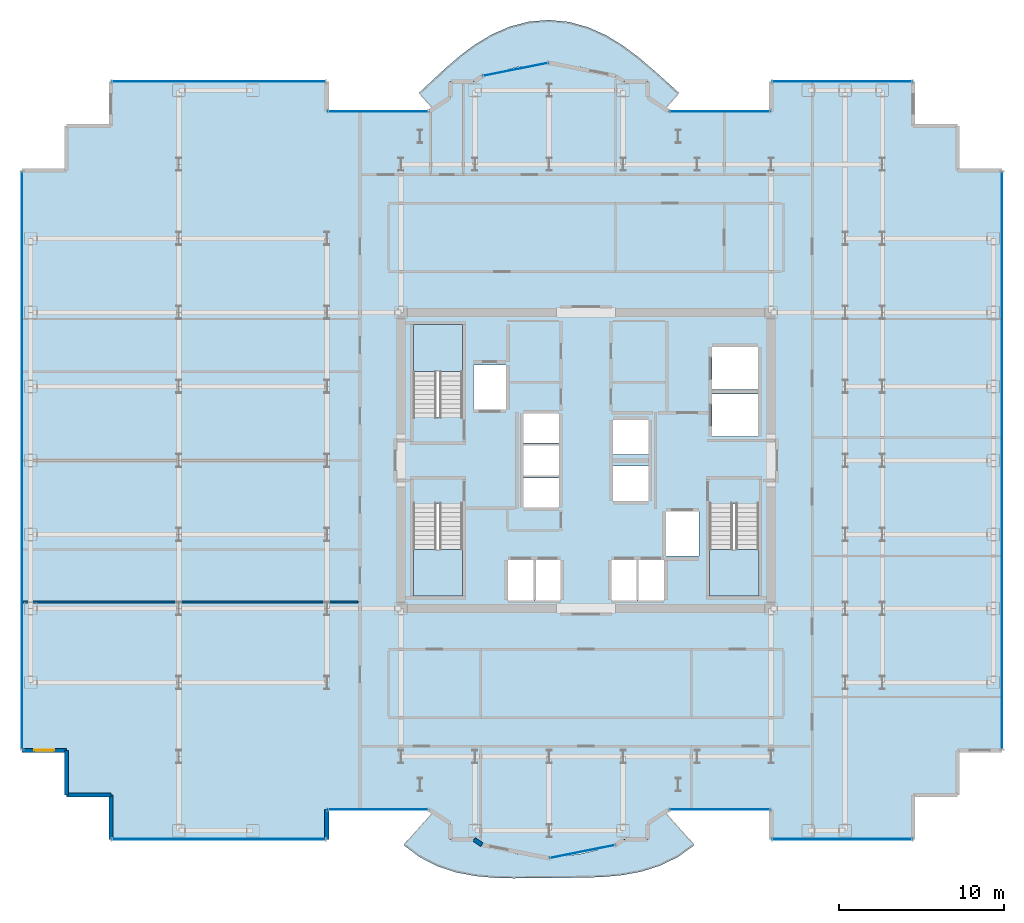
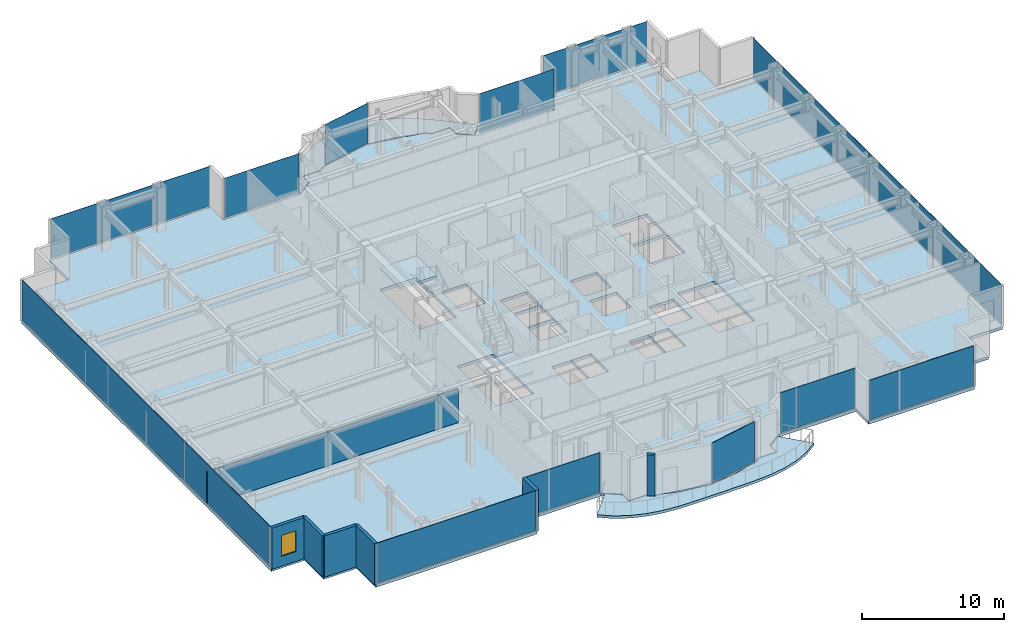
# One storey, part 14 of 22: 12 plates, 7 walls, 6 slabs, 1 window, 1 opening, 15 elements without a shape of their own.
"""IFC4 building model written with IfcOpenShell, lengths in metres."""

import ifcopenshell
import ifcopenshell.guid

model = None  # the IFC model being written
_history = None  # IfcOwnerHistory: only IFC2X3 demands one
_inside = {}  # id of a spatial element -> (the spatial element, [elements in it])
_under = {}  # id of a project, library or spatial element -> (it, [spatial elements below it])
_declared = {}  # id of a project -> (the project, [libraries it declares])
_typed = {}  # id of a type object -> (the type object, [elements of that type])
_made_of = {}  # id of a material, layer set ... -> (it, [elements and type objects made of it])


def new_model(schema):
    """Start an empty IFC model of exactly this schema.

    Asked for "IFC4X3", IfcOpenShell would pick the latest addendum, in which some entities
    have other attributes; the version numbers below select the first issue.
    IFC2X3 requires an IfcOwnerHistory on every rooted entity: one is made here for all.
    """
    global model, _history
    if schema == "IFC4X3":
        model = ifcopenshell.file(schema_version=(4, 3, 0, 0))
    else:
        model = ifcopenshell.file(schema=schema)
    _inside.clear()
    _under.clear()
    _declared.clear()
    _typed.clear()
    _made_of.clear()
    _history = None
    if model.schema == "IFC2X3":
        org = make("IfcOrganization", Name="unknown")
        user = make(
            "IfcPersonAndOrganization",
            ThePerson=make("IfcPerson", FamilyName="unknown"),
            TheOrganization=org,
        )
        app = make(
            "IfcApplication",
            ApplicationDeveloper=org,
            Version="unknown",
            ApplicationFullName="unknown",
            ApplicationIdentifier="unknown",
        )
        _history = make(
            "IfcOwnerHistory",
            OwningUser=user,
            OwningApplication=app,
            ChangeAction="ADDED",
            CreationDate=0,
        )
    return model


def make(cls, **values):
    """One entity of the class cls with the attributes given. An attribute that is None is left unset."""
    return model.create_entity(
        cls, **{name: value for name, value in values.items() if value is not None}
    )


def rooted(cls, **values):
    """An entity with a GlobalId (a new one), such as an element, a storey or a relation."""
    return make(cls, GlobalId=ifcopenshell.guid.new(), OwnerHistory=_history, **values)


def si_unit(unit_type, name, prefix=None):
    """IfcSIUnit, for example si_unit("LENGTHUNIT", "METRE", prefix="MILLI")."""
    return make("IfcSIUnit", UnitType=unit_type, Prefix=prefix, Name=name)


def assignment(units):
    """IfcUnitAssignment: the units of a project."""
    return None if units is None else make("IfcUnitAssignment", Units=units)


def point(xyz):
    """IfcCartesianPoint."""
    return None if xyz is None else make("IfcCartesianPoint", Coordinates=xyz)


def direction(xyz):
    """IfcDirection."""
    return None if xyz is None else make("IfcDirection", DirectionRatios=xyz)


def frame(location, z_axis=None, x_axis=None):
    """IfcAxis2Placement3D, a coordinate frame: its origin and axes. An axis left out is left unset."""
    return make(
        "IfcAxis2Placement3D",
        Location=point(location),
        Axis=direction(z_axis),
        RefDirection=direction(x_axis),
    )


def frame_2d(location, x_axis=None):
    """IfcAxis2Placement2D, a coordinate frame in the plane: its origin and x axis."""
    return make(
        "IfcAxis2Placement2D", Location=point(location), RefDirection=direction(x_axis)
    )


def origin():
    """The frame at (0, 0, 0) with its axes left unset."""
    return frame((0.0, 0.0, 0.0))


def origin_2d():
    """The frame at (0, 0) in the plane with its x axis left unset."""
    return frame_2d((0.0, 0.0))


def place(relative_to, where):
    """IfcLocalPlacement: puts the frame where relative to a parent placement (None: the world)."""
    return make(
        "IfcLocalPlacement", PlacementRelTo=relative_to, RelativePlacement=where
    )


def context(
    kind, dimensions, precision=None, world=None, true_north=None, identifier=None
):
    """IfcGeometricRepresentationContext, for example the 3D "Model" context."""
    return make(
        "IfcGeometricRepresentationContext",
        ContextIdentifier=identifier,
        ContextType=kind,
        CoordinateSpaceDimension=dimensions,
        Precision=precision,
        WorldCoordinateSystem=world,
        TrueNorth=true_north,
    )


def subcontext(parent, identifier, kind, view, scale=None):
    """IfcGeometricRepresentationSubContext, for example "Body" below "Model"."""
    return make(
        "IfcGeometricRepresentationSubContext",
        ContextIdentifier=identifier,
        ContextType=kind,
        ParentContext=parent,
        TargetScale=scale,
        TargetView=view,
    )


def project(units=None, contexts=None):
    """IfcProject with its units and contexts."""
    return rooted(
        "IfcProject",
        Name="project",
        RepresentationContexts=contexts,
        UnitsInContext=assignment(units),
    )


def spatial(cls, under=None, at=None, **own):
    """A site, building, storey or space (cls), placed at a placement, below another one or the project."""
    s = rooted(cls, ObjectPlacement=at, **own)
    if under is not None:
        _under.setdefault(under.id(), (under, []))[1].append(s)
    return s


def polyline(points):
    """IfcPolyline through the points."""
    return make("IfcPolyline", Points=[point(p) for p in points])


def profile(cls, at=None, kind="AREA", **sizes):
    """A parametric profile (cls). Its sizes go by their IFC names, for example OverallWidth=200.0."""
    return make(cls, ProfileType=kind, Position=at, **sizes)


def rectangle(**sizes):
    """IfcRectangleProfileDef."""
    return profile("IfcRectangleProfileDef", **sizes)


def outline(outer, holes=None, kind="AREA"):
    """IfcArbitraryClosedProfileDef: a profile drawn as a closed curve; with holes, ...WithVoids."""
    if holes is None:
        return make("IfcArbitraryClosedProfileDef", ProfileType=kind, OuterCurve=outer)
    return make(
        "IfcArbitraryProfileDefWithVoids",
        ProfileType=kind,
        OuterCurve=outer,
        InnerCurves=holes,
    )


def extrude(swept, where, along, depth):
    """IfcExtrudedAreaSolid: the profile swept, set in the frame where, extruded along a direction by depth."""
    return make(
        "IfcExtrudedAreaSolid",
        SweptArea=swept,
        Position=where,
        ExtrudedDirection=direction(along),
        Depth=depth,
    )


def shape(context_of_items, identifier, shape_type, items):
    """IfcShapeRepresentation: the items that make up one representation, for example the "Body"."""
    return make(
        "IfcShapeRepresentation",
        ContextOfItems=context_of_items,
        RepresentationIdentifier=identifier,
        RepresentationType=shape_type,
        Items=items,
    )


def source(mapping_origin, context_of_items, identifier, shape_type, items):
    """IfcRepresentationMap: a shape defined once, which mapped items show again and again."""
    return make(
        "IfcRepresentationMap",
        MappingOrigin=mapping_origin,
        MappedRepresentation=shape(context_of_items, identifier, shape_type, items),
    )


def transform(
    local_origin,
    x_axis=None,
    y_axis=None,
    z_axis=None,
    scale=None,
    scale2=None,
    scale3=None,
    uniform=True,
):
    """IfcCartesianTransformationOperator3D, or its non-uniform kind. x_axis, y_axis, z_axis: its Axis1, 2, 3."""
    if uniform:
        return make(
            "IfcCartesianTransformationOperator3D",
            Axis1=direction(x_axis),
            Axis2=direction(y_axis),
            LocalOrigin=point(local_origin),
            Scale=scale,
            Axis3=direction(z_axis),
        )
    return make(
        "IfcCartesianTransformationOperator3DnonUniform",
        Axis1=direction(x_axis),
        Axis2=direction(y_axis),
        LocalOrigin=point(local_origin),
        Scale=scale,
        Axis3=direction(z_axis),
        Scale2=scale2,
        Scale3=scale3,
    )


def mapped(mapping_source, mapping_target):
    """IfcMappedItem: shows the shape of a source again, moved by a transform."""
    return make(
        "IfcMappedItem", MappingSource=mapping_source, MappingTarget=mapping_target
    )


def material(Name=None, Category=None):
    """IfcMaterial."""
    return make("IfcMaterial", Name=Name, Category=Category)


def layer(
    of_material, thickness, ventilated=None, Name=None, Category=None, Priority=None
):
    """IfcMaterialLayer: one layer of a wall or slab, of a material (None: an air gap)."""
    return make(
        "IfcMaterialLayer",
        Material=of_material,
        LayerThickness=thickness,
        IsVentilated=ventilated,
        Name=Name,
        Category=Category,
        Priority=Priority,
    )


def layer_set(layers, Name=None):
    """IfcMaterialLayerSet."""
    return make("IfcMaterialLayerSet", MaterialLayers=layers, LayerSetName=Name)


def made_of(thing, what):
    """Note that an element or type object is made of a material, layer set ...; save() writes the relation."""
    if what is not None:
        _made_of.setdefault(what.id(), (what, []))[1].append(thing)
    return thing


def type_object(cls, material=None, **own):
    """A type object (cls), such as IfcWallType, which elements share."""
    return made_of(rooted(cls, **own), material)


def element(
    cls,
    number,
    at=None,
    inside=None,
    cuts=None,
    type_object=None,
    material=None,
    context=None,
    identifier="Body",
    shape_type=None,
    held_by="IfcProductDefinitionShape",
    body=None,
    shapes=None,
    **own,
):
    """One element of the class cls, such as IfcWall. Its Tag is "e" and its number.

    at: its placement. inside: the storey or other place that contains it. cuts: it is an
    opening in that element (IfcRelVoidsElement). A single representation is given by context,
    identifier, shape_type and body (its items); several are given by shapes. held_by: the class
    of the entity that holds the representations. save() writes the other relations.
    """
    e = rooted(cls, Tag="e%d" % number, ObjectPlacement=at, **own)
    if body is not None:
        shapes = [shape(context, identifier, shape_type, body)]
    if shapes is not None:
        e.Representation = make(held_by, Representations=shapes)
    if inside is not None:
        _inside.setdefault(inside.id(), (inside, []))[1].append(e)
    if cuts is not None:
        rooted(
            "IfcRelVoidsElement", RelatingBuildingElement=cuts, RelatedOpeningElement=e
        )
    if type_object is not None:
        _typed.setdefault(type_object.id(), (type_object, []))[1].append(e)
    return made_of(e, material)


def fill(opening, filler):
    """IfcRelFillsElement: the door or window that sits in an opening."""
    return rooted(
        "IfcRelFillsElement",
        RelatingOpeningElement=opening,
        RelatedBuildingElement=filler,
    )


def aggregate(whole, parts):
    """IfcRelAggregates: a whole, such as a stair, and the parts it consists of."""
    return rooted("IfcRelAggregates", RelatingObject=whole, RelatedObjects=parts)


def save(model, path):
    """Write the relations noted so far, then the file.

    IfcRelAggregates (storeys below a building ...), IfcRelContainedInSpatialStructure (elements
    in a storey), IfcRelDefinesByType, IfcRelAssociatesMaterial and IfcRelDeclares: one each for
    every whole, place, type object, material and project.
    """
    for whole, parts in _under.values():
        aggregate(whole, parts)
    for where, things in _inside.values():
        rooted(
            "IfcRelContainedInSpatialStructure",
            RelatedElements=things,
            RelatingStructure=where,
        )
    for kind, things in _typed.values():
        rooted("IfcRelDefinesByType", RelatedObjects=things, RelatingType=kind)
    for what, things in _made_of.values():
        rooted("IfcRelAssociatesMaterial", RelatedObjects=things, RelatingMaterial=what)
    for by, libraries in _declared.values():
        rooted("IfcRelDeclares", RelatingContext=by, RelatedDefinitions=libraries)
    model.write(path)


model = new_model("IFC4")

# Units and contexts
model_context = context("Model", 3, precision=1e-05, world=origin(), true_north=direction((0.0, 1.0)))
body_context = subcontext(model_context, "Body", "Model", "MODEL_VIEW")
ifc_project = project(units=[si_unit("LENGTHUNIT", "METRE"), si_unit("AREAUNIT", "SQUARE_METRE"), si_unit("VOLUMEUNIT", "CUBIC_METRE"), si_unit("PLANEANGLEUNIT", "RADIAN"), si_unit("MASSUNIT", "GRAM", prefix="KILO")], contexts=[model_context])

# Site, building, storey
site_placement = place(None, origin())
site = spatial("IfcSite", under=ifc_project, at=site_placement, CompositionType="ELEMENT")
building_placement = place(site_placement, origin())
building = spatial("IfcBuilding", under=site, at=building_placement, Name="Nefas-Gora Pilgrimage Tower", CompositionType="ELEMENT")
storey_placement = place(building_placement, frame((0.0, 0.0, 186.800048828125)))
storey = spatial("IfcBuildingStorey", under=building, at=storey_placement, Name="L46", CompositionType="ELEMENT", Elevation=186.800048828125)

# Slabs
ifc_material_1 = material(Name="Concrete C40/50", Category="concrete")
ifc_layer_1 = layer(ifc_material_1, 0.22998046875)
ifc_layer_set_1 = layer_set([ifc_layer_1], Name="Concrete C40/50")
slab_type_1 = type_object("IfcSlabType", Name="SLB-BAL-P2", PredefinedType="FLOOR", material=ifc_layer_set_1)
slab_1_placement = place(storey_placement, frame((0.0, 0.0, -0.22998046875)))
element("IfcSlab", 1, at=slab_1_placement, inside=storey, type_object=slab_type_1, Name="L46 Sinusoidal Lobe Balcony Slab S (Phase 2)", PredefinedType="FLOOR", context=body_context, shape_type="SweptSolid", body=[
    extrude(outline(polyline([(4.78759765625, -21.385986328125), (4.724609375, -21.427978515625), (4.038330078125, -21.9912109375), (3.760009765625, -22.179931640625), (3.760009765625, -23.02001953125), (3.760009765625, -23.02099609375), (3.759765625, -23.02197265625), (3.759521484375, -23.02294921875), (3.75927734375, -23.023681640625), (3.7587890625, -23.024658203125), (3.75830078125, -23.025634765625), (3.7578125, -23.0263671875), (3.757080078125, -23.027099609375), (3.75634765625, -23.027587890625), (3.755615234375, -23.0283203125), (3.754638671875, -23.02880859375), (3.75390625, -23.029296875), (3.7529296875, -23.029541015625), (3.751953125, -23.02978515625), (3.7509765625, -23.030029296875), (3.75, -23.030029296875), (2.3271484375, -23.030029296875), (1.81298828125, -23.37353515625), (1.81201171875, -23.3740234375), (1.811279296875, -23.37451171875), (1.810302734375, -23.375), (1.809326171875, -23.375), (1.13037109375, -23.51025390625), (0.602783203125, -23.685302734375), (-0.334716796875, -23.904052734375), (-1.288330078125, -24.035888671875), (-1.580078125, -24.04931640625), (-2.248046875, -24.18212890625), (-2.2490234375, -24.182373046875), (-2.25, -24.182373046875), (-2.2509765625, -24.182373046875), (-2.251953125, -24.18212890625), (-2.919921875, -24.04931640625), (-3.211669921875, -24.035888671875), (-4.165283203125, -23.904052734375), (-5.102783203125, -23.685302734375), (-5.63037109375, -23.51025390625), (-6.309326171875, -23.375), (-6.310302734375, -23.375), (-6.311279296875, -23.37451171875), (-6.31201171875, -23.3740234375), (-6.31298828125, -23.37353515625), (-6.8271484375, -23.030029296875), (-8.25, -23.030029296875), (-8.2509765625, -23.030029296875), (-8.251953125, -23.02978515625), (-8.2529296875, -23.029541015625), (-8.25390625, -23.029296875), (-8.254638671875, -23.02880859375), (-8.255615234375, -23.0283203125), (-8.25634765625, -23.027587890625), (-8.257080078125, -23.027099609375), (-8.2578125, -23.0263671875), (-8.25830078125, -23.025634765625), (-8.2587890625, -23.024658203125), (-8.25927734375, -23.023681640625), (-8.259521484375, -23.02294921875), (-8.259765625, -23.02197265625), (-8.260009765625, -23.02099609375), (-8.260009765625, -23.02001953125), (-8.260009765625, -22.179931640625), (-8.538330078125, -21.9912109375), (-9.224609375, -21.427978515625), (-9.28759765625, -21.385986328125), (-11.08251953125, -23.37939453125), (-10.11669921875, -24.10498046875), (-9.04248046875, -24.654296875), (-7.901611328125, -25.0302734375), (-6.73486328125, -25.25341796875), (-5.574951171875, -25.359130859375), (-4.440673828125, -25.389404296875), (-3.33544921875, -25.3837890625), (-2.25, -25.37060546875), (-1.16650390625, -25.36181640625), (-0.06689453125, -25.349365234375), (1.060302734375, -25.307861328125), (2.214111328125, -25.19921875), (3.37744140625, -24.9814453125), (4.5205078125, -24.618408203125), (5.602294921875, -24.085693359375), (6.580810546875, -23.377685546875), (4.78759765625, -21.385986328125)])), origin(), (0.0, 0.0, 1.0), 0.22998046875),
])
ifc_layer_2 = layer(ifc_material_1, 0.219970703125)
ifc_layer_set_2 = layer_set([ifc_layer_2], Name="Concrete C40/50")
slab_type_2 = type_object("IfcSlabType", Name="SLB-BAL-P6", PredefinedType="FLOOR", material=ifc_layer_set_2)
slab_2_placement = place(storey_placement, frame((0.0, 0.0, -0.219970703125)))
element("IfcSlab", 2, at=slab_2_placement, inside=storey, type_object=slab_type_2, Name="L46 Sinusoidal Lobe Balcony Slab N (Phase 6)", PredefinedType="FLOOR", context=body_context, shape_type="SweptSolid", body=[
    extrude(outline(polyline([(-9.28759765625, 21.385986328125), (-9.224609375, 21.427978515625), (-8.538330078125, 21.9912109375), (-8.260009765625, 22.179931640625), (-8.260009765625, 23.02001953125), (-8.260009765625, 23.02099609375), (-8.259765625, 23.02197265625), (-8.259521484375, 23.02294921875), (-8.25927734375, 23.023681640625), (-8.2587890625, 23.024658203125), (-8.25830078125, 23.025634765625), (-8.2578125, 23.0263671875), (-8.257080078125, 23.027099609375), (-8.25634765625, 23.027587890625), (-8.255615234375, 23.0283203125), (-8.254638671875, 23.02880859375), (-8.25390625, 23.029296875), (-8.2529296875, 23.029541015625), (-8.251953125, 23.02978515625), (-8.2509765625, 23.030029296875), (-8.25, 23.030029296875), (-6.8271484375, 23.030029296875), (-6.31298828125, 23.37353515625), (-6.31201171875, 23.3740234375), (-6.311279296875, 23.37451171875), (-6.310302734375, 23.375), (-6.309326171875, 23.375), (-5.63037109375, 23.51025390625), (-5.102783203125, 23.685302734375), (-4.165283203125, 23.904052734375), (-3.211669921875, 24.035888671875), (-2.919921875, 24.04931640625), (-2.251953125, 24.18212890625), (-2.2509765625, 24.182373046875), (-2.25, 24.182373046875), (-2.2490234375, 24.182373046875), (-2.248046875, 24.18212890625), (-1.580078125, 24.04931640625), (-1.288330078125, 24.035888671875), (-0.334716796875, 23.904052734375), (0.602783203125, 23.685302734375), (1.13037109375, 23.51025390625), (1.809326171875, 23.375), (1.810302734375, 23.375), (1.811279296875, 23.37451171875), (1.81201171875, 23.3740234375), (1.81298828125, 23.37353515625), (2.3271484375, 23.030029296875), (3.75, 23.030029296875), (3.7509765625, 23.030029296875), (3.751953125, 23.02978515625), (3.7529296875, 23.029541015625), (3.75390625, 23.029296875), (3.754638671875, 23.02880859375), (3.755615234375, 23.0283203125), (3.75634765625, 23.027587890625), (3.757080078125, 23.027099609375), (3.7578125, 23.0263671875), (3.75830078125, 23.025634765625), (3.7587890625, 23.024658203125), (3.75927734375, 23.023681640625), (3.759521484375, 23.02294921875), (3.759765625, 23.02197265625), (3.760009765625, 23.02099609375), (3.760009765625, 23.02001953125), (3.760009765625, 22.179931640625), (4.038330078125, 21.9912109375), (4.724609375, 21.427978515625), (4.78759765625, 21.385986328125), (5.645751953125, 22.339111328125), (4.84130859375, 23.06640625), (4.02001953125, 23.801513671875), (3.15576171875, 24.53173828125), (2.224365234375, 25.226318359375), (1.211181640625, 25.84228515625), (0.115234375, 26.33203125), (-1.048095703125, 26.6513671875), (-2.25, 26.769287109375), (-3.4541015625, 26.67333984375), (-4.622802734375, 26.3720703125), (-5.7255859375, 25.8935546875), (-6.7451171875, 25.280517578125), (-7.6796875, 24.580322265625), (-8.5419921875, 23.837646484375), (-9.355712890625, 23.085693359375), (-10.1474609375, 22.3408203125), (-9.28759765625, 21.385986328125)])), origin(), (0.0, 0.0, 1.0), 0.219970703125),
])
ifc_layer_3 = layer(ifc_material_1, 0.25)
ifc_layer_set_3 = layer_set([ifc_layer_3], Name="Concrete C40/50")
slab_type_3 = type_object("IfcSlabType", Name="SLB-TWR-250", PredefinedType="FLOOR", material=ifc_layer_set_3)
slab_3_placement = place(storey_placement, frame((0.0, 0.0, -0.25)))
element("IfcSlab", 3, at=slab_3_placement, inside=storey, type_object=slab_type_3, Name="L46 Structural Floor Slab", PredefinedType="FLOOR", context=body_context, shape_type="SweptSolid", body=[
    extrude(outline(polyline([(5.01806640625, -21.219970703125), (11.25, -21.219970703125), (11.25, -23.02001953125), (19.8701171875, -23.02001953125), (19.8701171875, -20.320068359375), (22.570068359375, -20.320068359375), (22.570068359375, -17.6201171875), (25.27001953125, -17.6201171875), (25.27001953125, 17.6201171875), (22.570068359375, 17.6201171875), (22.570068359375, 20.320068359375), (19.8701171875, 20.320068359375), (19.8701171875, 23.02001953125), (11.25, 23.02001953125), (11.25, 21.219970703125), (5.01806640625, 21.219970703125), (3.75, 22.0673828125), (3.75, 23.02001953125), (2.32421875, 23.02001953125), (1.807373046875, 23.365234375), (-2.25, 24.17236328125), (-6.307373046875, 23.365234375), (-6.82421875, 23.02001953125), (-8.25, 23.02001953125), (-8.25, 22.0673828125), (-9.51806640625, 21.219970703125), (-15.75, 21.219970703125), (-15.75, 23.02001953125), (-28.8701171875, 23.02001953125), (-28.8701171875, 20.320068359375), (-31.570068359375, 20.320068359375), (-31.570068359375, 17.6201171875), (-34.27001953125, 17.6201171875), (-34.27001953125, -17.6201171875), (-31.570068359375, -17.6201171875), (-31.570068359375, -20.320068359375), (-28.8701171875, -20.320068359375), (-28.8701171875, -23.02001953125), (-15.75, -23.02001953125), (-15.75, -21.219970703125), (-9.51806640625, -21.219970703125), (-8.25, -22.0673828125), (-8.25, -23.02001953125), (-6.82421875, -23.02001953125), (-6.307373046875, -23.365234375), (-2.25, -24.17236328125), (1.807373046875, -23.365234375), (2.32421875, -23.02001953125), (3.75, -23.02001953125), (3.75, -22.0673828125), (5.01806640625, -21.219970703125)]), holes=[polyline([(-10.5, 2.639892578125), (-10.5, 8.25), (-7.5, 8.25), (-7.5, 2.639892578125), (-10.5, 2.639892578125)]), polyline([(10.5, -2.639892578125), (10.5, -8.25), (7.5, -8.25), (7.5, -2.639892578125), (10.5, -2.639892578125)]), polyline([(-7.5, -2.639892578125), (-7.5, -8.25), (-10.5, -8.25), (-10.5, -2.639892578125), (-7.5, -2.639892578125)]), polyline([(-6.85009765625, 5.800048828125), (-4.85009765625, 5.800048828125), (-4.85009765625, 3.10009765625), (-6.85009765625, 3.10009765625), (-6.85009765625, 5.800048828125)]), polyline([(4.85009765625, -3.10009765625), (6.85009765625, -3.10009765625), (6.85009765625, -5.800048828125), (4.85009765625, -5.800048828125), (4.85009765625, -3.10009765625)]), polyline([(7.64990234375, 4.050048828125), (10.449951171875, 4.050048828125), (10.449951171875, 1.449951171875), (7.64990234375, 1.449951171875), (7.64990234375, 4.050048828125)]), polyline([(7.64990234375, 6.89990234375), (10.449951171875, 6.89990234375), (10.449951171875, 4.300048828125), (7.64990234375, 4.300048828125), (7.64990234375, 6.89990234375)]), polyline([(-4.75, -6.050048828125), (-3.14990234375, -6.050048828125), (-3.14990234375, -8.5), (-4.75, -8.5), (-4.75, -6.050048828125)]), polyline([(-3.10009765625, -6.050048828125), (-1.550048828125, -6.050048828125), (-1.550048828125, -8.5), (-3.10009765625, -8.5), (-3.10009765625, -6.050048828125)]), polyline([(1.550048828125, -6.050048828125), (3.10009765625, -6.050048828125), (3.10009765625, -8.5), (1.550048828125, -8.5), (1.550048828125, -6.050048828125)]), polyline([(3.14990234375, -6.050048828125), (4.75, -6.050048828125), (4.75, -8.5), (3.14990234375, -8.5), (3.14990234375, -6.050048828125)]), polyline([(-3.800048828125, -1.050048828125), (-1.64990234375, -1.050048828125), (-1.64990234375, -2.85009765625), (-3.800048828125, -2.85009765625), (-3.800048828125, -1.050048828125)]), polyline([(-3.800048828125, 0.89990234375), (-1.64990234375, 0.89990234375), (-1.64990234375, -0.89990234375), (-3.800048828125, -0.89990234375), (-3.800048828125, 0.89990234375)]), polyline([(-3.800048828125, 2.85009765625), (-1.64990234375, 2.85009765625), (-1.64990234375, 1.050048828125), (-3.800048828125, 1.050048828125), (-3.800048828125, 2.85009765625)]), polyline([(1.64990234375, -0.35009765625), (3.800048828125, -0.35009765625), (3.800048828125, -2.449951171875), (1.64990234375, -2.449951171875), (1.64990234375, -0.35009765625)]), polyline([(1.64990234375, 2.449951171875), (3.800048828125, 2.449951171875), (3.800048828125, 0.35009765625), (1.64990234375, 0.35009765625), (1.64990234375, 2.449951171875)])]), origin(), (0.0, 0.0, 1.0), 0.25),
])

# Stair, slab
ifc_material_2 = material(Name="Concrete C45/55", Category="concrete")
stair_type = type_object("IfcStairType", Name="STR-1400-R1727", PredefinedType="HALF_TURN_STAIR", material=ifc_material_2)
stair_1_placement = place(storey_placement, origin())
stair_1 = element("IfcStair", 4, at=stair_1_placement, inside=storey, type_object=stair_type, Name="L46 Pressurised Tower Exit Stair ST-01", PredefinedType="HALF_TURN_STAIR")
ifc_layer_4 = layer(ifc_material_1, 0.199951171875)
ifc_layer_set_4 = layer_set([ifc_layer_4], Name="Concrete C40/50")
slab_type_4 = type_object("IfcSlabType", Name="STR-LAND-200", PredefinedType="LANDING", material=ifc_layer_set_4)
slab_4_placement = place(storey_placement, frame((0.0, 0.0, 1.699951171875)))
slab_4 = element("IfcSlab", 5, at=slab_4_placement, type_object=slab_type_4, Name="ST-01 landing 1", PredefinedType="LANDING", context=body_context, shape_type="SweptSolid", body=[
    extrude(outline(polyline([(-7.5, 5.39990234375), (-7.5, 8.25), (-10.5, 8.25), (-10.5, 5.39990234375), (-7.5, 5.39990234375)])), origin(), (0.0, 0.0, 1.0), 0.199951171875),
])
aggregate(stair_1, [slab_4])

stair_2_placement = place(storey_placement, origin())
stair_2 = element("IfcStair", 6, at=stair_2_placement, inside=storey, type_object=stair_type, Name="L46 Pressurised Tower Exit Stair ST-02", PredefinedType="HALF_TURN_STAIR")
slab_5_placement = place(storey_placement, frame((0.0, 0.0, 1.699951171875)))
slab_5 = element("IfcSlab", 7, at=slab_5_placement, type_object=slab_type_4, Name="ST-02 landing 1", PredefinedType="LANDING", context=body_context, shape_type="SweptSolid", body=[
    extrude(outline(polyline([(7.5, -5.39990234375), (7.5, -8.25), (10.5, -8.25), (10.5, -5.39990234375), (7.5, -5.39990234375)])), origin(), (0.0, 0.0, 1.0), 0.199951171875),
])
aggregate(stair_2, [slab_5])

stair_3_placement = place(storey_placement, origin())
stair_3 = element("IfcStair", 8, at=stair_3_placement, inside=storey, type_object=stair_type, Name="L46 Pressurised Tower Exit Stair ST-03", PredefinedType="HALF_TURN_STAIR")
slab_6_placement = place(storey_placement, frame((0.0, 0.0, 1.699951171875)))
slab_6 = element("IfcSlab", 9, at=slab_6_placement, type_object=slab_type_4, Name="ST-03 landing 1", PredefinedType="LANDING", context=body_context, shape_type="SweptSolid", body=[
    extrude(outline(polyline([(-10.5, -5.39990234375), (-10.5, -8.25), (-7.5, -8.25), (-7.5, -5.39990234375), (-10.5, -5.39990234375)])), origin(), (0.0, 0.0, 1.0), 0.199951171875),
])
aggregate(stair_3, [slab_6])

# Curtain wall, plate
ifc_material_3 = material(Name="Dark ceramic-fritted solar-control aluminium-glass curtain wall", Category="aluminium")
ifc_layer_5 = layer(ifc_material_3, 0.219970703125)
ifc_layer_set_5 = layer_set([ifc_layer_5], Name="Dark ceramic-fritted solar-control aluminium-glass curtain wall")
curtain_wall_type_1 = type_object("IfcCurtainWallType", Name="CW-SYS-5", PredefinedType="NOTDEFINED", material=ifc_layer_set_5)
curtain_wall_1_placement = place(storey_placement, origin())
curtain_wall_1 = element("IfcCurtainWall", 10, at=curtain_wall_1_placement, inside=storey, type_object=curtain_wall_type_1, Name="L46 Unitised Curtain Wall CW5", PredefinedType="NOTDEFINED")
ifc_material_4 = material(Name="Dark ceramic-printed low-e insulated glass", Category="glass")
ifc_layer_6 = layer(ifc_material_4, 0.028076171875)
ifc_layer_set_6 = layer_set([ifc_layer_6], Name="Dark ceramic-printed low-e insulated glass")
plate_type_1 = type_object("IfcPlateType", Name="CWP-PNL-5", PredefinedType="CURTAIN_PANEL", material=ifc_layer_set_6)
shared_shape_1 = source(origin(), body_context, "Body", "SweptSolid", [
    extrude(rectangle(XDim=6.052001953125, YDim=0.028076171875, at=origin_2d()), origin(), (0.0, 0.0, 1.0), 3.43994140625),
])
plate_1_placement = place(storey_placement, frame((8.134033203125, -21.219970703125, 0.10009765625), z_axis=(0.0, 0.0, 1.0), x_axis=(1.0, 0.0, 0.0)))
plate_1 = element("IfcPlate", 11, at=plate_1_placement, type_object=plate_type_1, Name="CW5 Ceramic-Fritted Glazing Panel 1", PredefinedType="CURTAIN_PANEL", context=body_context, shape_type="MappedRepresentation", body=[
    mapped(shared_shape_1, transform((0.0, 0.0, 0.0), x_axis=(1.0, 0.0, 0.0), y_axis=(0.0, 1.0, 0.0), z_axis=(0.0, 0.0, 1.0), scale=1.0)),
])
aggregate(curtain_wall_1, [plate_1])

curtain_wall_2_placement = place(storey_placement, origin())
curtain_wall_2 = element("IfcCurtainWall", 12, at=curtain_wall_2_placement, inside=storey, type_object=curtain_wall_type_1, Name="L46 Unitised Curtain Wall CW5", PredefinedType="NOTDEFINED")
plate_2_placement = place(storey_placement, frame((8.134033203125, 21.219970703125, 0.10009765625), z_axis=(0.0, 0.0, 1.0), x_axis=(-1.0, 0.0, 0.0)))
plate_2 = element("IfcPlate", 13, at=plate_2_placement, type_object=plate_type_1, Name="CW5 Ceramic-Fritted Glazing Panel 1", PredefinedType="CURTAIN_PANEL", context=body_context, shape_type="MappedRepresentation", body=[
    mapped(shared_shape_1, transform((0.0, 0.0, 0.0), x_axis=(1.0, 0.0, 0.0), y_axis=(0.0, 1.0, 0.0), z_axis=(0.0, 0.0, 1.0), scale=1.0)),
])
aggregate(curtain_wall_2, [plate_2])

curtain_wall_3_placement = place(storey_placement, origin())
curtain_wall_3 = element("IfcCurtainWall", 14, at=curtain_wall_3_placement, inside=storey, type_object=curtain_wall_type_1, Name="L46 Unitised Curtain Wall CW5", PredefinedType="NOTDEFINED")
plate_3_placement = place(storey_placement, frame((-12.634033203125, 21.219970703125, 0.10009765625), z_axis=(0.0, 0.0, 1.0), x_axis=(-1.0, 0.0, 0.0)))
plate_3 = element("IfcPlate", 15, at=plate_3_placement, type_object=plate_type_1, Name="CW5 Ceramic-Fritted Glazing Panel 1", PredefinedType="CURTAIN_PANEL", context=body_context, shape_type="MappedRepresentation", body=[
    mapped(shared_shape_1, transform((0.0, 0.0, 0.0), x_axis=(1.0, 0.0, 0.0), y_axis=(0.0, 1.0, 0.0), z_axis=(0.0, 0.0, 1.0), scale=1.0)),
])
aggregate(curtain_wall_3, [plate_3])

curtain_wall_4_placement = place(storey_placement, origin())
curtain_wall_4 = element("IfcCurtainWall", 16, at=curtain_wall_4_placement, inside=storey, type_object=curtain_wall_type_1, Name="L46 Unitised Curtain Wall CW5", PredefinedType="NOTDEFINED")
plate_4_placement = place(storey_placement, frame((-12.634033203125, -21.219970703125, 0.10009765625), z_axis=(0.0, 0.0, 1.0), x_axis=(1.0, 0.0, 0.0)))
plate_4 = element("IfcPlate", 17, at=plate_4_placement, type_object=plate_type_1, Name="CW5 Ceramic-Fritted Glazing Panel 1", PredefinedType="CURTAIN_PANEL", context=body_context, shape_type="MappedRepresentation", body=[
    mapped(shared_shape_1, transform((0.0, 0.0, 0.0), x_axis=(1.0, 0.0, 0.0), y_axis=(0.0, 1.0, 0.0), z_axis=(0.0, 0.0, 1.0), scale=1.0)),
])
aggregate(curtain_wall_4, [plate_4])

curtain_wall_5_placement = place(storey_placement, origin())
curtain_wall_5 = element("IfcCurtainWall", 18, at=curtain_wall_5_placement, inside=storey, type_object=curtain_wall_type_1, Name="L46 Unitised Curtain Wall CW5", PredefinedType="NOTDEFINED")
shared_shape_2 = source(origin(), body_context, "Body", "SweptSolid", [
    extrude(rectangle(XDim=3.956787109375, YDim=0.028076171875, at=origin_2d()), origin(), (0.0, 0.0, 1.0), 3.43994140625),
])
plate_5_placement = place(storey_placement, frame((-4.278564453125, 23.768798828125, 0.10009765625), z_axis=(0.0, 0.0, 1.0), x_axis=(-0.980782896852, -0.195102304554, 0.0)))
plate_5 = element("IfcPlate", 19, at=plate_5_placement, type_object=plate_type_1, Name="CW5 Ceramic-Fritted Glazing Panel 1", PredefinedType="CURTAIN_PANEL", context=body_context, shape_type="MappedRepresentation", body=[
    mapped(shared_shape_2, transform((0.0, 0.0, 0.0), x_axis=(1.0, 0.0, 0.0), y_axis=(0.0, 1.0, 0.0), z_axis=(0.0, 0.0, 1.0), scale=1.0)),
])
aggregate(curtain_wall_5, [plate_5])

curtain_wall_6_placement = place(storey_placement, origin())
curtain_wall_6 = element("IfcCurtainWall", 20, at=curtain_wall_6_placement, inside=storey, type_object=curtain_wall_type_1, Name="L46 Unitised Curtain Wall CW5", PredefinedType="NOTDEFINED")
plate_6_placement = place(storey_placement, frame((-0.221435546875, -23.768798828125, 0.10009765625), z_axis=(0.0, 0.0, 1.0), x_axis=(0.980782896852, 0.195102304554, 0.0)))
plate_6 = element("IfcPlate", 21, at=plate_6_placement, type_object=plate_type_1, Name="CW5 Ceramic-Fritted Glazing Panel 1", PredefinedType="CURTAIN_PANEL", context=body_context, shape_type="MappedRepresentation", body=[
    mapped(shared_shape_2, transform((0.0, 0.0, 0.0), x_axis=(1.0, 0.0, 0.0), y_axis=(0.0, 1.0, 0.0), z_axis=(0.0, 0.0, 1.0), scale=1.0)),
])
aggregate(curtain_wall_6, [plate_6])

ifc_layer_7 = layer(ifc_material_3, 0.219970703125)
ifc_layer_set_7 = layer_set([ifc_layer_7], Name="Dark ceramic-fritted solar-control aluminium-glass curtain wall")
curtain_wall_type_2 = type_object("IfcCurtainWallType", Name="CW-SYS-3", PredefinedType="NOTDEFINED", material=ifc_layer_set_7)
curtain_wall_7_placement = place(storey_placement, origin())
curtain_wall_7 = element("IfcCurtainWall", 22, at=curtain_wall_7_placement, inside=storey, type_object=curtain_wall_type_2, Name="L46 Unitised Curtain Wall CW3", PredefinedType="NOTDEFINED")
ifc_layer_8 = layer(ifc_material_4, 0.033935546875)
ifc_layer_set_8 = layer_set([ifc_layer_8], Name="Dark ceramic-printed low-e insulated glass")
plate_type_2 = type_object("IfcPlateType", Name="CWP-PNL-3", PredefinedType="CURTAIN_PANEL", material=ifc_layer_set_8)
shared_shape_3 = source(origin(), body_context, "Body", "SweptSolid", [
    extrude(rectangle(XDim=8.43994140625, YDim=0.033935546875, at=origin_2d()), origin(), (0.0, 0.0, 1.0), 3.43994140625),
])
plate_7_placement = place(storey_placement, frame((15.56005859375, -23.02001953125, 0.10009765625), z_axis=(0.0, 0.0, 1.0), x_axis=(1.0, 0.0, 0.0)))
plate_7 = element("IfcPlate", 23, at=plate_7_placement, type_object=plate_type_2, Name="CW3 Ceramic-Fritted Glazing Panel 1", PredefinedType="CURTAIN_PANEL", context=body_context, shape_type="MappedRepresentation", body=[
    mapped(shared_shape_3, transform((0.0, 0.0, 0.0), x_axis=(1.0, 0.0, 0.0), y_axis=(0.0, 1.0, 0.0), z_axis=(0.0, 0.0, 1.0), scale=1.0)),
])
aggregate(curtain_wall_7, [plate_7])

curtain_wall_8_placement = place(storey_placement, origin())
curtain_wall_8 = element("IfcCurtainWall", 24, at=curtain_wall_8_placement, inside=storey, type_object=curtain_wall_type_2, Name="L46 Unitised Curtain Wall CW3", PredefinedType="NOTDEFINED")
plate_8_placement = place(storey_placement, frame((15.56005859375, 23.02001953125, 0.10009765625), z_axis=(0.0, 0.0, 1.0), x_axis=(-1.0, 0.0, 0.0)))
plate_8 = element("IfcPlate", 25, at=plate_8_placement, type_object=plate_type_2, Name="CW3 Ceramic-Fritted Glazing Panel 1", PredefinedType="CURTAIN_PANEL", context=body_context, shape_type="MappedRepresentation", body=[
    mapped(shared_shape_3, transform((0.0, 0.0, 0.0), x_axis=(1.0, 0.0, 0.0), y_axis=(0.0, 1.0, 0.0), z_axis=(0.0, 0.0, 1.0), scale=1.0)),
])
aggregate(curtain_wall_8, [plate_8])

curtain_wall_9_placement = place(storey_placement, origin())
curtain_wall_9 = element("IfcCurtainWall", 26, at=curtain_wall_9_placement, inside=storey, type_object=curtain_wall_type_2, Name="L46 Unitised Curtain Wall CW3", PredefinedType="NOTDEFINED")
shared_shape_4 = source(origin(), body_context, "Body", "SweptSolid", [
    extrude(rectangle(XDim=12.93994140625, YDim=0.033935546875, at=origin_2d()), origin(), (0.0, 0.0, 1.0), 3.43994140625),
])
plate_9_placement = place(storey_placement, frame((-22.31005859375, 23.02001953125, 0.10009765625), z_axis=(0.0, 0.0, 1.0), x_axis=(-1.0, 0.0, 0.0)))
plate_9 = element("IfcPlate", 27, at=plate_9_placement, type_object=plate_type_2, Name="CW3 Ceramic-Fritted Glazing Panel 1", PredefinedType="CURTAIN_PANEL", context=body_context, shape_type="MappedRepresentation", body=[
    mapped(shared_shape_4, transform((0.0, 0.0, 0.0), x_axis=(1.0, 0.0, 0.0), y_axis=(0.0, 1.0, 0.0), z_axis=(0.0, 0.0, 1.0), scale=1.0)),
])
aggregate(curtain_wall_9, [plate_9])

curtain_wall_10_placement = place(storey_placement, origin())
curtain_wall_10 = element("IfcCurtainWall", 28, at=curtain_wall_10_placement, inside=storey, type_object=curtain_wall_type_2, Name="L46 Unitised Curtain Wall CW3", PredefinedType="NOTDEFINED")
plate_10_placement = place(storey_placement, frame((-22.31005859375, -23.02001953125, 0.10009765625), z_axis=(0.0, 0.0, 1.0), x_axis=(1.0, 0.0, 0.0)))
plate_10 = element("IfcPlate", 29, at=plate_10_placement, type_object=plate_type_2, Name="CW3 Ceramic-Fritted Glazing Panel 1", PredefinedType="CURTAIN_PANEL", context=body_context, shape_type="MappedRepresentation", body=[
    mapped(shared_shape_4, transform((0.0, 0.0, 0.0), x_axis=(1.0, 0.0, 0.0), y_axis=(0.0, 1.0, 0.0), z_axis=(0.0, 0.0, 1.0), scale=1.0)),
])
aggregate(curtain_wall_10, [plate_10])

curtain_wall_11_placement = place(storey_placement, origin())
curtain_wall_11 = element("IfcCurtainWall", 30, at=curtain_wall_11_placement, inside=storey, type_object=curtain_wall_type_2, Name="L46 Unitised Curtain Wall CW3", PredefinedType="NOTDEFINED")
shared_shape_5 = source(origin(), body_context, "Body", "SweptSolid", [
    extrude(rectangle(XDim=35.06005859375, YDim=0.033935546875, at=origin_2d()), origin(), (0.0, 0.0, 1.0), 3.43994140625),
])
plate_11_placement = place(storey_placement, frame((25.27001953125, 0.0, 0.10009765625), z_axis=(0.0, 0.0, 1.0), x_axis=(0.0, 1.0, 0.0)))
plate_11 = element("IfcPlate", 31, at=plate_11_placement, type_object=plate_type_2, Name="CW3 Ceramic-Fritted Glazing Panel 1", PredefinedType="CURTAIN_PANEL", context=body_context, shape_type="MappedRepresentation", body=[
    mapped(shared_shape_5, transform((0.0, 0.0, 0.0), x_axis=(1.0, 0.0, 0.0), y_axis=(0.0, 1.0, 0.0), z_axis=(0.0, 0.0, 1.0), scale=1.0)),
])
aggregate(curtain_wall_11, [plate_11])

curtain_wall_12_placement = place(storey_placement, origin())
curtain_wall_12 = element("IfcCurtainWall", 32, at=curtain_wall_12_placement, inside=storey, type_object=curtain_wall_type_2, Name="L46 Unitised Curtain Wall CW3", PredefinedType="NOTDEFINED")
plate_12_placement = place(storey_placement, frame((-34.27001953125, 0.0, 0.10009765625), z_axis=(0.0, 0.0, 1.0), x_axis=(0.0, -1.0, 0.0)))
plate_12 = element("IfcPlate", 33, at=plate_12_placement, type_object=plate_type_2, Name="CW3 Ceramic-Fritted Glazing Panel 1", PredefinedType="CURTAIN_PANEL", context=body_context, shape_type="MappedRepresentation", body=[
    mapped(shared_shape_5, transform((0.0, 0.0, 0.0), x_axis=(1.0, 0.0, 0.0), y_axis=(0.0, 1.0, 0.0), z_axis=(0.0, 0.0, 1.0), scale=1.0)),
])
aggregate(curtain_wall_12, [plate_12])

# Wall
ifc_material_5 = material(Name="Precast concrete C40/50", Category="concrete")
ifc_layer_9 = layer(ifc_material_5, 0.260009765625)
ifc_layer_set_9 = layer_set([ifc_layer_9], Name="Precast concrete C40/50")
wall_type_1 = type_object("IfcWallType", Name="EW-PORTAL-260", PredefinedType="SOLIDWALL", material=ifc_layer_set_9)
shared_shape_6 = source(origin(), body_context, "Body", "SweptSolid", [
    extrude(rectangle(XDim=1.800048828125, YDim=0.260009765625, at=frame_2d((0.89990234375, 0.0))), origin(), (0.0, 0.0, 1.0), 3.550048828125),
])
wall_1_placement = place(storey_placement, frame((-15.75, -23.02001953125, 0.0), z_axis=(0.0, 0.0, 1.0), x_axis=(0.0, 1.0, 0.0)))
element("IfcWall", 34, at=wall_1_placement, inside=storey, type_object=wall_type_1, Name="L46 Lobe Shoulder Precast Spandrel Pier 29", PredefinedType="SOLIDWALL", context=body_context, shape_type="MappedRepresentation", body=[
    mapped(shared_shape_6, transform((0.0, 0.0, 0.0), x_axis=(1.0, 0.0, 0.0), y_axis=(0.0, 1.0, 0.0), z_axis=(0.0, 0.0, 1.0), scale=1.0)),
])

# Wall, opening, window
ifc_material_6 = material(Name="Precast concrete C45/55", Category="concrete")
ifc_layer_10 = layer(ifc_material_6, 0.239990234375)
ifc_layer_set_10 = layer_set([ifc_layer_10], Name="Precast concrete C45/55")
wall_type_2 = type_object("IfcWallType", Name="EW-SERR-240", PredefinedType="SHEAR", material=ifc_layer_set_10)
shared_shape_7 = source(origin(), body_context, "Body", "SweptSolid", [
    extrude(rectangle(XDim=2.699951171875, YDim=0.239990234375, at=frame_2d((1.35009765625, 0.0))), origin(), (0.0, 0.0, 1.0), 3.550048828125),
])
wall_2_placement = place(storey_placement, frame((-34.27001953125, -17.6201171875, 0.0), z_axis=(0.0, 0.0, 1.0), x_axis=(1.0, 0.0, 0.0)))
wall_2 = element("IfcWall", 35, at=wall_2_placement, inside=storey, type_object=wall_type_2, Name="L46 Serrated Corner Shear Pier Wall 25", PredefinedType="SHEAR", context=body_context, shape_type="MappedRepresentation", body=[
    mapped(shared_shape_7, transform((0.0, 0.0, 0.0), x_axis=(1.0, 0.0, 0.0), y_axis=(0.0, 1.0, 0.0), z_axis=(0.0, 0.0, 1.0), scale=1.0)),
])
opening_placement = place(wall_2_placement, frame((0.75, 0.0, 0.85009765625)))
opening = element("IfcOpeningElement", 36, at=opening_placement, cuts=wall_2, Name="Opening W-V1", PredefinedType="OPENING", context=body_context, shape_type="SweptSolid", body=[
    extrude(rectangle(XDim=1.199951171875, YDim=1.800048828125, at=frame_2d((0.60009765625, 0.89990234375))), frame((0.0, 0.1298828125, 0.0), z_axis=(0.0, -1.0, 0.0), x_axis=(1.0, 0.0, 0.0)), (0.0, 0.0, 1.0), 0.260009765625),
])
ifc_material_7 = material(Name="Dark ceramic-fritted operable aluminium-glass window", Category="aluminium")
window_type = type_object("IfcWindowType", Name="WIN-VENT-1200x1800", PartitioningType="SINGLE_PANEL", PredefinedType="WINDOW", material=ifc_material_7)
shared_shape_8 = source(origin(), body_context, "Body", "SweptSolid", [
    extrude(rectangle(XDim=1.199951171875, YDim=1.800048828125, at=frame_2d((0.60009765625, 0.89990234375))), frame((0.0, 0.030029296875, 0.0), z_axis=(0.0, -1.0, 0.0), x_axis=(1.0, 0.0, 0.0)), (0.0, 0.0, 1.0), 0.06005859375),
])
window_placement = place(opening_placement, origin())
window = element("IfcWindow", 37, at=window_placement, inside=storey, type_object=window_type, Name="L46 Operable Parallel-Outswing Window 25", OverallHeight=1.800048828125, OverallWidth=1.199951171875, PartitioningType="SINGLE_PANEL", PredefinedType="WINDOW", context=body_context, shape_type="MappedRepresentation", body=[
    mapped(shared_shape_8, transform((0.0, 0.0, 0.0), x_axis=(1.0, 0.0, 0.0), y_axis=(0.0, 1.0, 0.0), z_axis=(0.0, 0.0, 1.0), scale=1.0)),
])
fill(opening, window)

# Walls
for number, where, z_axis, x_axis, name in (
    (38, (-31.570068359375, -17.6201171875, 0.0), (0.0, 0.0, 1.0), (0.0, -1.0, 0.0), "L46 Serrated Corner Shear Pier Wall 26"),
    (39, (-31.570068359375, -20.320068359375, 0.0), (0.0, 0.0, 1.0), (1.0, 0.0, 0.0), "L46 Serrated Corner Shear Pier Wall 27"),
    (40, (-28.8701171875, -20.320068359375, 0.0), (0.0, 0.0, 1.0), (0.0, -1.0, 0.0), "L46 Serrated Corner Shear Pier Wall 28"),
):
    element("IfcWall", number, at=place(storey_placement, frame(where, z_axis=z_axis, x_axis=x_axis)), inside=storey, type_object=wall_type_2, Name=name, PredefinedType="SHEAR", context=body_context, shape_type="MappedRepresentation", body=[
        mapped(shared_shape_7, transform((0.0, 0.0, 0.0), x_axis=(1.0, 0.0, 0.0), y_axis=(0.0, 1.0, 0.0), z_axis=(0.0, 0.0, 1.0), scale=1.0)),
    ])
shared_shape_9 = source(origin(), body_context, "Body", "SweptSolid", [
    extrude(rectangle(XDim=0.5654296875, YDim=0.260009765625, at=frame_2d((0.28271484375, 0.0))), origin(), (0.0, 0.0, 1.0), 3.550048828125),
])
wall_3_placement = place(storey_placement, frame((-6.80078125, -23.03564453125, 0.0), z_axis=(0.0, 0.0, 1.0), x_axis=(0.831651492666, -0.555297933317, 0.0)))
element("IfcWall", 41, at=wall_3_placement, inside=storey, type_object=wall_type_1, Name="L46 Lobe Shoulder Precast Spandrel Pier 33", PredefinedType="SOLIDWALL", context=body_context, shape_type="MappedRepresentation", body=[
    mapped(shared_shape_9, transform((0.0, 0.0, 0.0), x_axis=(1.0, 0.0, 0.0), y_axis=(0.0, 1.0, 0.0), z_axis=(0.0, 0.0, 1.0), scale=1.0)),
])
ifc_material_8 = material(Name="Gypsum twin-stud partition")
ifc_layer_11 = layer(ifc_material_8, 0.139892578125)
ifc_layer_set_11 = layer_set([ifc_layer_11], Name="Gypsum twin-stud partition")
wall_type_3 = type_object("IfcWallType", Name="IW-UNIT-140", PredefinedType="PARTITIONING", material=ifc_layer_set_11)
shared_shape_10 = source(origin(), body_context, "Body", "SweptSolid", [
    extrude(rectangle(XDim=20.429931640625, YDim=0.139892578125, at=frame_2d((10.21484375, 0.0))), origin(), (0.0, 0.0, 1.0), 2.875),
])
wall_4_placement = place(storey_placement, frame((-34.2900390625, -8.60498046875, 0.0), z_axis=(0.0, 0.0, 1.0), x_axis=(1.0, 0.0, 0.0)))
element("IfcWall", 42, at=wall_4_placement, inside=storey, type_object=wall_type_3, Name="L46 Pilgrim Floor Concierge Foyer Partition Wall 33", PredefinedType="PARTITIONING", context=body_context, shape_type="MappedRepresentation", body=[
    mapped(shared_shape_10, transform((0.0, 0.0, 0.0), x_axis=(1.0, 0.0, 0.0), y_axis=(0.0, 1.0, 0.0), z_axis=(0.0, 0.0, 1.0), scale=1.0)),
])

save(model, "model.ifc")
